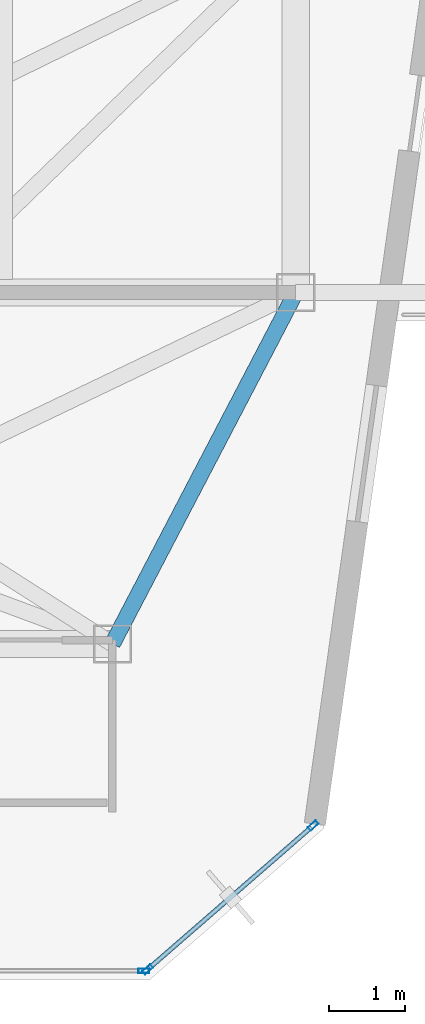
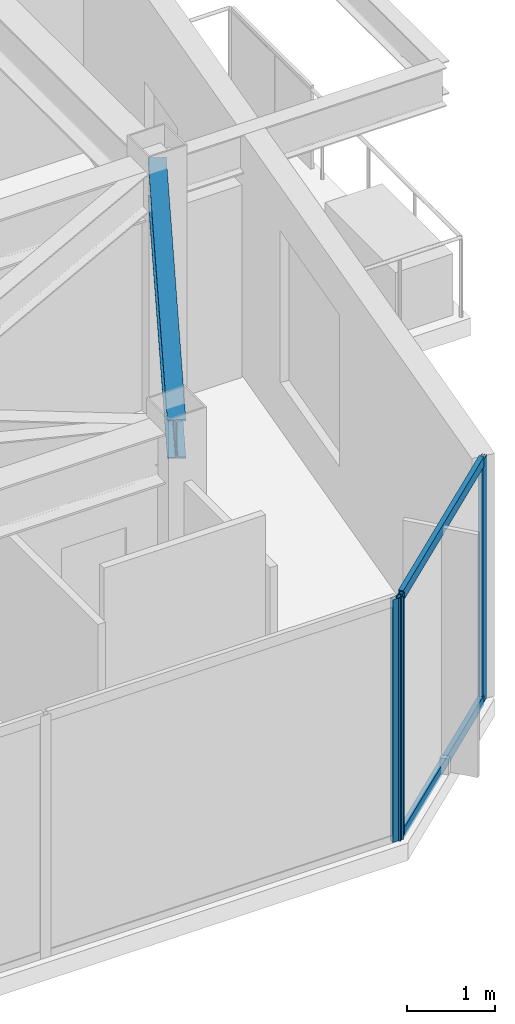
# One storey, part 14 of 20: 5 members, 1 beam, 2 elements without a shape of their own.
"""IFC4 building model written with IfcOpenShell, lengths in metres."""

from ifc_helpers import new_model, si_unit, direction, frame, origin, origin_2d, place, context, subcontext, project, spatial, hollow_rectangle, i_section, extrude, material, layer, layer_set, material_profile, profile_set, type_object, element, aggregate, save


model = new_model("IFC4")

# Units and contexts
model_context = context("Model", 3, precision=1e-05, world=origin(), true_north=direction((0.0, 1.0)))
body_context = subcontext(model_context, "Body", "Model", "MODEL_VIEW")
ifc_project = project(units=[si_unit("LENGTHUNIT", "METRE"), si_unit("AREAUNIT", "SQUARE_METRE"), si_unit("VOLUMEUNIT", "CUBIC_METRE"), si_unit("PLANEANGLEUNIT", "RADIAN"), si_unit("MASSUNIT", "GRAM", prefix="KILO")], contexts=[model_context])

# Site, building, storey
site_placement = place(None, origin())
site = spatial("IfcSite", under=ifc_project, at=site_placement, CompositionType="ELEMENT")
building_placement = place(site_placement, origin())
building = spatial("IfcBuilding", under=site, at=building_placement, Name="Kravanh Interchange Tower", CompositionType="ELEMENT")
storey_placement = place(building_placement, frame((0.0, 0.0, 252.60009765625)))
storey = spatial("IfcBuildingStorey", under=building, at=storey_placement, Name="L61", CompositionType="ELEMENT", Elevation=252.60009765625)

# Curtain wall, members
ifc_material_1 = material(Name="Anodised Bronze Aluminium", Category="aluminium")
ifc_layer = layer(ifc_material_1, 0.179931640625)
ifc_layer_set = layer_set([ifc_layer], Name="Unitised Curtain Wall System CW-HTL Luxury Hotel")
curtain_wall_type = type_object("IfcCurtainWallType", Name="Unitised Curtain Wall System CW-HTL Luxury Hotel", PredefinedType="NOTDEFINED", material=ifc_layer_set)
curtain_wall_1_placement = place(storey_placement, origin())
curtain_wall_1 = element("IfcCurtainWall", 1, at=curtain_wall_1_placement, inside=storey, type_object=curtain_wall_type, Name="L61 Unitised Curtain Wall CW-L61-02", PredefinedType="NOTDEFINED")
ifc_material_2 = material(Name="Anodised Bronze Aluminium", Category="aluminium")
ifc_material_profile_1 = material_profile(ifc_material_2, hollow_rectangle(XDim=0.06005859375, YDim=0.139892578125, WallThickness=0.00390625, at=origin_2d()), Name="ALU60X140X4")
ifc_profile_set_1 = profile_set([ifc_material_profile_1], Name="Anodised Bronze Aluminium")
member_type_1 = type_object("IfcMemberType", Name="Curtain Wall Mullion ALU60X140X4 Bronze", PredefinedType="MULLION", material=ifc_profile_set_1)
member_1_placement = place(storey_placement, frame((65.828369140625, 19.822021484375, 0.0), z_axis=(0.0, 0.0, 1.0), x_axis=(0.656050227106, -0.754717231494, 0.0)))
member_1 = element("IfcMember", 2, at=member_1_placement, type_object=member_type_1, Name="CW-HTL mullion 1", PredefinedType="MULLION", context=body_context, shape_type="SweptSolid", body=[
    extrude(hollow_rectangle(XDim=0.06005859375, YDim=0.139892578125, WallThickness=0.00390625, at=origin_2d()), origin(), (0.0, 0.0, 1.0), 3.35986328125),
])
member_2_placement = place(storey_placement, frame((63.6630859375, 17.939697265625, 0.0), z_axis=(0.0, 0.0, 1.0), x_axis=(0.656050227106, -0.754717231494, 0.0)))
member_2 = element("IfcMember", 3, at=member_2_placement, type_object=member_type_1, Name="CW-HTL mullion 2", PredefinedType="MULLION", context=body_context, shape_type="SweptSolid", body=[
    extrude(hollow_rectangle(XDim=0.06005859375, YDim=0.139892578125, WallThickness=0.00390625, at=origin_2d()), origin(), (0.0, 0.0, 1.0), 3.35986328125),
])

# Curtain wall, member
curtain_wall_2_placement = place(storey_placement, origin())
curtain_wall_2 = element("IfcCurtainWall", 4, at=curtain_wall_2_placement, inside=storey, type_object=curtain_wall_type, Name="L61 Unitised Curtain Wall CW-L61-03", PredefinedType="NOTDEFINED")
member_3_placement = place(storey_placement, frame((63.610595703125, 17.919921875, 0.0), z_axis=(0.0, 0.0, 1.0), x_axis=(0.0, -1.0, 0.0)))
member_3 = element("IfcMember", 5, at=member_3_placement, type_object=member_type_1, Name="CW-HTL mullion 1", PredefinedType="MULLION", context=body_context, shape_type="SweptSolid", body=[
    extrude(hollow_rectangle(XDim=0.06005859375, YDim=0.139892578125, WallThickness=0.00390625, at=origin_2d()), origin(), (0.0, 0.0, 1.0), 3.35986328125),
])
aggregate(curtain_wall_2, [member_3])

# Member
ifc_material_3 = material(Name="Anodised Bronze Aluminium", Category="aluminium")
ifc_material_profile_2 = material_profile(ifc_material_3, hollow_rectangle(XDim=0.06005859375, YDim=0.139892578125, WallThickness=0.00390625, at=origin_2d()), Name="ALU60X140X4")
ifc_profile_set_2 = profile_set([ifc_material_profile_2], Name="Anodised Bronze Aluminium")
member_type_2 = type_object("IfcMemberType", Name="Curtain Wall Transom ALU60X140X4 Bronze", PredefinedType="USERDEFINED", material=ifc_profile_set_2)
member_4_placement = place(storey_placement, frame((65.805908203125, 19.80224609375, 0.02978515625), z_axis=(-0.754747707805, -0.656015165651, 0.0), x_axis=(0.656015165651, -0.754747707805, 0.0)))
member_4 = element("IfcMember", 6, at=member_4_placement, type_object=member_type_2, Name="CW-HTL transom 1.1", ObjectType="TRANSOM", PredefinedType="USERDEFINED", context=body_context, shape_type="SweptSolid", body=[
    extrude(hollow_rectangle(XDim=0.06005859375, YDim=0.139892578125, WallThickness=0.00390625, at=origin_2d()), origin(), (0.0, 0.0, 1.0), 2.80908203125),
])

member_5_placement = place(storey_placement, frame((65.805908203125, 19.80224609375, 3.329833984375), z_axis=(-0.754747707805, -0.656015165651, 0.0), x_axis=(0.656015165651, -0.754747707805, 0.0)))
member_5 = element("IfcMember", 7, at=member_5_placement, type_object=member_type_2, Name="CW-HTL transom 1.2", ObjectType="TRANSOM", PredefinedType="USERDEFINED", context=body_context, shape_type="SweptSolid", body=[
    extrude(hollow_rectangle(XDim=0.06005859375, YDim=0.139892578125, WallThickness=0.00390625, at=origin_2d()), origin(), (0.0, 0.0, 1.0), 2.80908203125),
])

aggregate(curtain_wall_1, [member_1, member_2, member_4, member_5])

# Beam
ifc_material_4 = material(Name="Structural Steel S355", Category="steel")
ifc_material_profile_3 = material_profile(ifc_material_4, i_section(OverallWidth=0.2099609375, OverallDepth=0.537109375, WebThickness=0.010986328125, FlangeThickness=0.017333984375, FilletRadius=0.02001953125, at=origin_2d()), Name="W21X68")
ifc_profile_set_3 = profile_set([ifc_material_profile_3], Name="Structural Steel S355")
beam_type = type_object("IfcBeamType", Name="Floor Spandrel W21X68 Structural Steel S355", PredefinedType="SPANDREL", material=ifc_profile_set_3)
beam_placement = place(storey_placement, frame((65.60009765625, 26.800048828125, 3.09130859375), z_axis=(-0.462580479178, -0.886577295155, 0.0), x_axis=(0.886577295155, -0.462580479178, 0.0)))
element("IfcBeam", 8, at=beam_placement, inside=storey, type_object=beam_type, Name="L61 Perimeter Spandrel 37", PredefinedType="SPANDREL", context=body_context, shape_type="SweptSolid", body=[
    extrude(i_section(OverallWidth=0.2099609375, OverallDepth=0.537109375, WebThickness=0.010986328125, FlangeThickness=0.017333984375, FilletRadius=0.02001953125, at=origin_2d()), origin(), (0.0, 0.0, 1.0), 5.188720703125),
])

save(model, "model.ifc")
